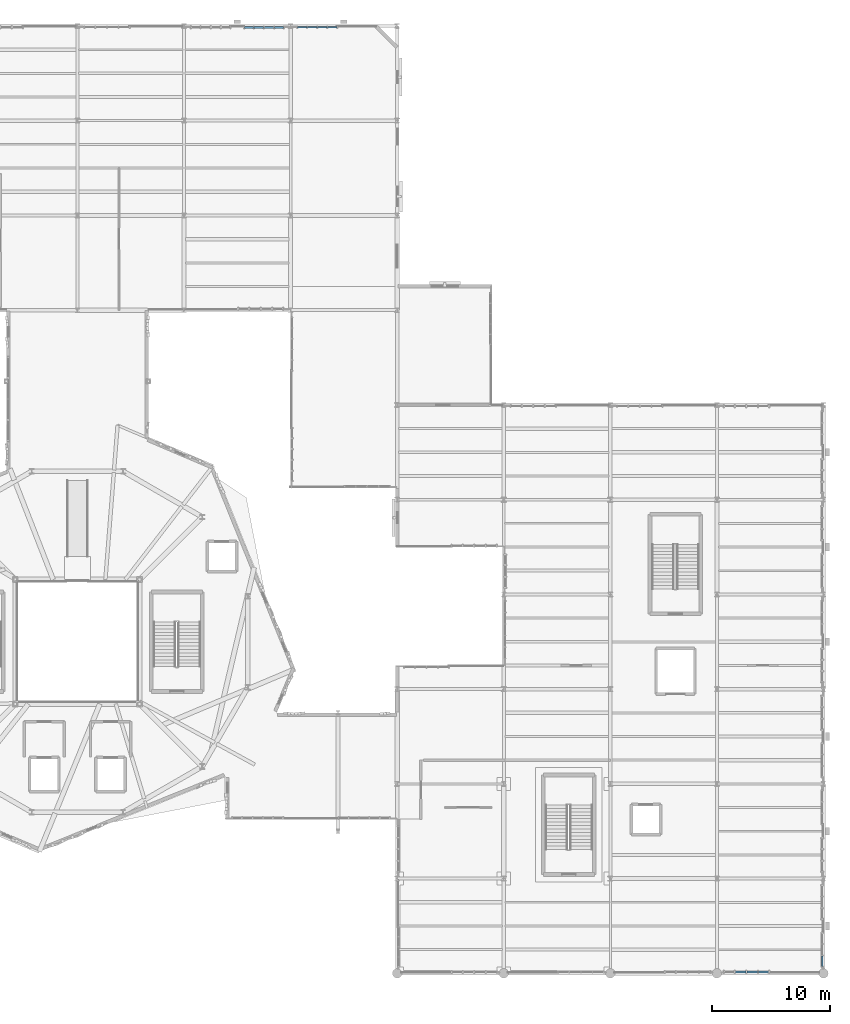
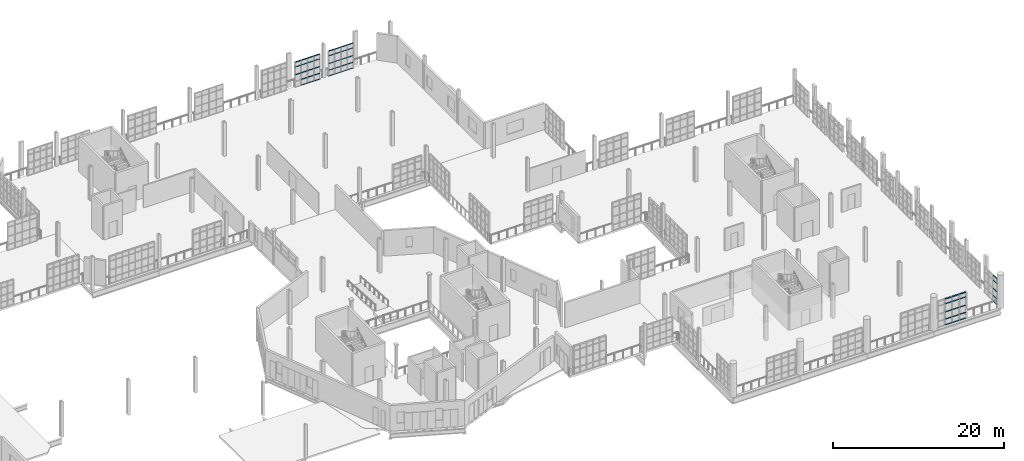
# One storey, part 73 of 122: 58 members, 4 elements without a shape of their own.
"""IFC4 building model written with IfcOpenShell, lengths in metres."""

from ifc_helpers import new_model, si_unit, direction, frame, origin, origin_2d, place, context, subcontext, project, spatial, hollow_rectangle, extrude, material, layer, layer_set, material_profile, profile_set, type_object, element, aggregate, save


model = new_model("IFC4")

# Units and contexts
model_context = context("Model", 3, precision=1e-05, world=origin(), true_north=direction((0.0, 1.0)))
body_context = subcontext(model_context, "Body", "Model", "MODEL_VIEW")
ifc_project = project(units=[si_unit("LENGTHUNIT", "METRE"), si_unit("AREAUNIT", "SQUARE_METRE"), si_unit("VOLUMEUNIT", "CUBIC_METRE"), si_unit("PLANEANGLEUNIT", "RADIAN"), si_unit("MASSUNIT", "GRAM", prefix="KILO"), si_unit("THERMODYNAMICTEMPERATUREUNIT", "KELVIN"), si_unit("POWERUNIT", "WATT")], contexts=[model_context])

# Site, building, storey
site_placement = place(None, origin())
site = spatial("IfcSite", under=ifc_project, at=site_placement, CompositionType="ELEMENT")
building_placement = place(site_placement, origin())
building = spatial("IfcBuilding", under=site, at=building_placement, Name="Zelmaris Science Centre", CompositionType="ELEMENT")
storey_placement = place(building_placement, frame((0.0, 0.0, 10.800048828125)))
storey = spatial("IfcBuildingStorey", under=building, at=storey_placement, Name="L02", CompositionType="ELEMENT", Elevation=10.800048828125)

# Curtain wall, members
ifc_material = material(Name="Anodised architectural aluminium 6063-T6", Category="aluminium")
ifc_layer_1 = layer(ifc_material, 0.2099609375, Name="Anodised architectural aluminium 6063-T6")
ifc_layer_set_1 = layer_set([ifc_layer_1], Name="Anodised architectural aluminium 6063-T6")
curtain_wall_type_1 = type_object("IfcCurtainWallType", Name="Curtain Wall CW-03", PredefinedType="USERDEFINED", material=ifc_layer_set_1)
curtain_wall_1_placement = place(storey_placement, origin())
curtain_wall_1 = element("IfcCurtainWall", 1, at=curtain_wall_1_placement, inside=storey, type_object=curtain_wall_type_1, Name="L02 Unitised curtain wall 215", ObjectType="GLAZED CURTAIN WALL", PredefinedType="USERDEFINED")
ifc_material_profile_1 = material_profile(ifc_material, hollow_rectangle(XDim=0.06494140625, YDim=0.1298828125, WallThickness=0.00341796875, at=origin_2d()), Name="ALU-TRN-65X130")
ifc_profile_set_1 = profile_set([ifc_material_profile_1], Name="Anodised architectural aluminium 6063-T6")
member_type_1 = type_object("IfcMemberType", Name="ALU-TRN-65X130", PredefinedType="USERDEFINED", material=ifc_profile_set_1)
member_1_placement = place(storey_placement, frame((99.596923828125, 87.8798828125, 0.013427734375), z_axis=(1.0, 0.0, 0.0), x_axis=(0.0, 0.0, 1.0)))
member_1 = element("IfcMember", 2, at=member_1_placement, type_object=member_type_1, Name="CW-03 transom 1.1", ObjectType="TRANSOM", PredefinedType="USERDEFINED", context=body_context, shape_type="SweptSolid", body=[
    extrude(hollow_rectangle(XDim=0.06494140625, YDim=0.1298828125, WallThickness=0.00341796875, at=origin_2d()), origin(), (0.0, 0.0, 1.0), 0.76953125),
])
member_2_placement = place(storey_placement, frame((99.596923828125, 87.8798828125, 0.8349609375), z_axis=(1.0, 0.0, 0.0), x_axis=(0.0, 0.0, 1.0)))
member_2 = element("IfcMember", 3, at=member_2_placement, type_object=member_type_1, Name="CW-03 transom 1.2", ObjectType="TRANSOM", PredefinedType="USERDEFINED", context=body_context, shape_type="SweptSolid", body=[
    extrude(hollow_rectangle(XDim=0.06494140625, YDim=0.1298828125, WallThickness=0.00341796875, at=origin_2d()), origin(), (0.0, 0.0, 1.0), 0.76953125),
])
member_3_placement = place(storey_placement, frame((99.596923828125, 87.8798828125, 1.785400390625), z_axis=(1.0, 0.0, 0.0), x_axis=(0.0, 0.0, 1.0)))
member_3 = element("IfcMember", 4, at=member_3_placement, type_object=member_type_1, Name="CW-03 transom 1.3", ObjectType="TRANSOM", PredefinedType="USERDEFINED", context=body_context, shape_type="SweptSolid", body=[
    extrude(hollow_rectangle(XDim=0.06494140625, YDim=0.1298828125, WallThickness=0.00341796875, at=origin_2d()), origin(), (0.0, 0.0, 1.0), 0.76953125),
])
member_4_placement = place(storey_placement, frame((99.596923828125, 87.8798828125, 2.885986328125), z_axis=(1.0, 0.0, 0.0), x_axis=(0.0, 0.0, 1.0)))
member_4 = element("IfcMember", 5, at=member_4_placement, type_object=member_type_1, Name="CW-03 transom 1.4", ObjectType="TRANSOM", PredefinedType="USERDEFINED", context=body_context, shape_type="SweptSolid", body=[
    extrude(hollow_rectangle(XDim=0.06494140625, YDim=0.1298828125, WallThickness=0.00341796875, at=origin_2d()), origin(), (0.0, 0.0, 1.0), 0.76953125),
])
member_5_placement = place(storey_placement, frame((99.596923828125, 87.8798828125, 3.557373046875), z_axis=(1.0, 0.0, 0.0), x_axis=(0.0, 0.0, 1.0)))
member_5 = element("IfcMember", 6, at=member_5_placement, type_object=member_type_1, Name="CW-03 transom 1.5", ObjectType="TRANSOM", PredefinedType="USERDEFINED", context=body_context, shape_type="SweptSolid", body=[
    extrude(hollow_rectangle(XDim=0.06494140625, YDim=0.1298828125, WallThickness=0.00341796875, at=origin_2d()), origin(), (0.0, 0.0, 1.0), 0.76953125),
])
member_6_placement = place(storey_placement, frame((100.423583984375, 87.8798828125, 0.013427734375), z_axis=(1.0, 0.0, 0.0), x_axis=(0.0, 0.0, 1.0)))
member_6 = element("IfcMember", 7, at=member_6_placement, type_object=member_type_1, Name="CW-03 transom 2.1", ObjectType="TRANSOM", PredefinedType="USERDEFINED", context=body_context, shape_type="SweptSolid", body=[
    extrude(hollow_rectangle(XDim=0.06494140625, YDim=0.1298828125, WallThickness=0.00341796875, at=origin_2d()), origin(), (0.0, 0.0, 1.0), 0.7978515625),
])
member_7_placement = place(storey_placement, frame((100.423583984375, 87.8798828125, 0.8349609375), z_axis=(1.0, 0.0, 0.0), x_axis=(0.0, 0.0, 1.0)))
member_7 = element("IfcMember", 8, at=member_7_placement, type_object=member_type_1, Name="CW-03 transom 2.2", ObjectType="TRANSOM", PredefinedType="USERDEFINED", context=body_context, shape_type="SweptSolid", body=[
    extrude(hollow_rectangle(XDim=0.06494140625, YDim=0.1298828125, WallThickness=0.00341796875, at=origin_2d()), origin(), (0.0, 0.0, 1.0), 0.7978515625),
])
member_8_placement = place(storey_placement, frame((100.423583984375, 87.8798828125, 1.785400390625), z_axis=(1.0, 0.0, 0.0), x_axis=(0.0, 0.0, 1.0)))
member_8 = element("IfcMember", 9, at=member_8_placement, type_object=member_type_1, Name="CW-03 transom 2.3", ObjectType="TRANSOM", PredefinedType="USERDEFINED", context=body_context, shape_type="SweptSolid", body=[
    extrude(hollow_rectangle(XDim=0.06494140625, YDim=0.1298828125, WallThickness=0.00341796875, at=origin_2d()), origin(), (0.0, 0.0, 1.0), 0.7978515625),
])
member_9_placement = place(storey_placement, frame((100.423583984375, 87.8798828125, 2.885986328125), z_axis=(1.0, 0.0, 0.0), x_axis=(0.0, 0.0, 1.0)))
member_9 = element("IfcMember", 10, at=member_9_placement, type_object=member_type_1, Name="CW-03 transom 2.4", ObjectType="TRANSOM", PredefinedType="USERDEFINED", context=body_context, shape_type="SweptSolid", body=[
    extrude(hollow_rectangle(XDim=0.06494140625, YDim=0.1298828125, WallThickness=0.00341796875, at=origin_2d()), origin(), (0.0, 0.0, 1.0), 0.7978515625),
])
member_10_placement = place(storey_placement, frame((100.423583984375, 87.8798828125, 3.557373046875), z_axis=(1.0, 0.0, 0.0), x_axis=(0.0, 0.0, 1.0)))
member_10 = element("IfcMember", 11, at=member_10_placement, type_object=member_type_1, Name="CW-03 transom 2.5", ObjectType="TRANSOM", PredefinedType="USERDEFINED", context=body_context, shape_type="SweptSolid", body=[
    extrude(hollow_rectangle(XDim=0.06494140625, YDim=0.1298828125, WallThickness=0.00341796875, at=origin_2d()), origin(), (0.0, 0.0, 1.0), 0.7978515625),
])
member_11_placement = place(storey_placement, frame((101.278564453125, 87.8798828125, 0.013427734375), z_axis=(1.0, 0.0, 0.0), x_axis=(0.0, 0.0, 1.0)))
member_11 = element("IfcMember", 12, at=member_11_placement, type_object=member_type_1, Name="CW-03 transom 3.1", ObjectType="TRANSOM", PredefinedType="USERDEFINED", context=body_context, shape_type="SweptSolid", body=[
    extrude(hollow_rectangle(XDim=0.06494140625, YDim=0.1298828125, WallThickness=0.00341796875, at=origin_2d()), origin(), (0.0, 0.0, 1.0), 0.7978515625),
])
member_12_placement = place(storey_placement, frame((101.278564453125, 87.8798828125, 0.8349609375), z_axis=(1.0, 0.0, 0.0), x_axis=(0.0, 0.0, 1.0)))
member_12 = element("IfcMember", 13, at=member_12_placement, type_object=member_type_1, Name="CW-03 transom 3.2", ObjectType="TRANSOM", PredefinedType="USERDEFINED", context=body_context, shape_type="SweptSolid", body=[
    extrude(hollow_rectangle(XDim=0.06494140625, YDim=0.1298828125, WallThickness=0.00341796875, at=origin_2d()), origin(), (0.0, 0.0, 1.0), 0.7978515625),
])
member_13_placement = place(storey_placement, frame((101.278564453125, 87.8798828125, 1.785400390625), z_axis=(1.0, 0.0, 0.0), x_axis=(0.0, 0.0, 1.0)))
member_13 = element("IfcMember", 14, at=member_13_placement, type_object=member_type_1, Name="CW-03 transom 3.3", ObjectType="TRANSOM", PredefinedType="USERDEFINED", context=body_context, shape_type="SweptSolid", body=[
    extrude(hollow_rectangle(XDim=0.06494140625, YDim=0.1298828125, WallThickness=0.00341796875, at=origin_2d()), origin(), (0.0, 0.0, 1.0), 0.7978515625),
])
member_14_placement = place(storey_placement, frame((101.278564453125, 87.8798828125, 2.885986328125), z_axis=(1.0, 0.0, 0.0), x_axis=(0.0, 0.0, 1.0)))
member_14 = element("IfcMember", 15, at=member_14_placement, type_object=member_type_1, Name="CW-03 transom 3.4", ObjectType="TRANSOM", PredefinedType="USERDEFINED", context=body_context, shape_type="SweptSolid", body=[
    extrude(hollow_rectangle(XDim=0.06494140625, YDim=0.1298828125, WallThickness=0.00341796875, at=origin_2d()), origin(), (0.0, 0.0, 1.0), 0.7978515625),
])
member_15_placement = place(storey_placement, frame((101.278564453125, 87.8798828125, 3.557373046875), z_axis=(1.0, 0.0, 0.0), x_axis=(0.0, 0.0, 1.0)))
member_15 = element("IfcMember", 16, at=member_15_placement, type_object=member_type_1, Name="CW-03 transom 3.5", ObjectType="TRANSOM", PredefinedType="USERDEFINED", context=body_context, shape_type="SweptSolid", body=[
    extrude(hollow_rectangle(XDim=0.06494140625, YDim=0.1298828125, WallThickness=0.00341796875, at=origin_2d()), origin(), (0.0, 0.0, 1.0), 0.7978515625),
])
member_16_placement = place(storey_placement, frame((102.133544921875, 87.8798828125, 0.013427734375), z_axis=(1.0, 0.0, 0.0), x_axis=(0.0, 0.0, 1.0)))
member_16 = element("IfcMember", 17, at=member_16_placement, type_object=member_type_1, Name="CW-03 transom 4.1", ObjectType="TRANSOM", PredefinedType="USERDEFINED", context=body_context, shape_type="SweptSolid", body=[
    extrude(hollow_rectangle(XDim=0.06494140625, YDim=0.1298828125, WallThickness=0.00341796875, at=origin_2d()), origin(), (0.0, 0.0, 1.0), 0.76953125),
])
member_17_placement = place(storey_placement, frame((102.133544921875, 87.8798828125, 0.8349609375), z_axis=(1.0, 0.0, 0.0), x_axis=(0.0, 0.0, 1.0)))
member_17 = element("IfcMember", 18, at=member_17_placement, type_object=member_type_1, Name="CW-03 transom 4.2", ObjectType="TRANSOM", PredefinedType="USERDEFINED", context=body_context, shape_type="SweptSolid", body=[
    extrude(hollow_rectangle(XDim=0.06494140625, YDim=0.1298828125, WallThickness=0.00341796875, at=origin_2d()), origin(), (0.0, 0.0, 1.0), 0.76953125),
])
member_18_placement = place(storey_placement, frame((102.133544921875, 87.8798828125, 1.785400390625), z_axis=(1.0, 0.0, 0.0), x_axis=(0.0, 0.0, 1.0)))
member_18 = element("IfcMember", 19, at=member_18_placement, type_object=member_type_1, Name="CW-03 transom 4.3", ObjectType="TRANSOM", PredefinedType="USERDEFINED", context=body_context, shape_type="SweptSolid", body=[
    extrude(hollow_rectangle(XDim=0.06494140625, YDim=0.1298828125, WallThickness=0.00341796875, at=origin_2d()), origin(), (0.0, 0.0, 1.0), 0.76953125),
])
member_19_placement = place(storey_placement, frame((102.133544921875, 87.8798828125, 2.885986328125), z_axis=(1.0, 0.0, 0.0), x_axis=(0.0, 0.0, 1.0)))
member_19 = element("IfcMember", 20, at=member_19_placement, type_object=member_type_1, Name="CW-03 transom 4.4", ObjectType="TRANSOM", PredefinedType="USERDEFINED", context=body_context, shape_type="SweptSolid", body=[
    extrude(hollow_rectangle(XDim=0.06494140625, YDim=0.1298828125, WallThickness=0.00341796875, at=origin_2d()), origin(), (0.0, 0.0, 1.0), 0.76953125),
])
member_20_placement = place(storey_placement, frame((102.133544921875, 87.8798828125, 3.557373046875), z_axis=(1.0, 0.0, 0.0), x_axis=(0.0, 0.0, 1.0)))
member_20 = element("IfcMember", 21, at=member_20_placement, type_object=member_type_1, Name="CW-03 transom 4.5", ObjectType="TRANSOM", PredefinedType="USERDEFINED", context=body_context, shape_type="SweptSolid", body=[
    extrude(hollow_rectangle(XDim=0.06494140625, YDim=0.1298828125, WallThickness=0.00341796875, at=origin_2d()), origin(), (0.0, 0.0, 1.0), 0.76953125),
])
aggregate(curtain_wall_1, [member_1, member_2, member_3, member_4, member_5, member_6, member_7, member_8, member_9, member_10, member_11, member_12, member_13, member_14, member_15, member_16, member_17, member_18, member_19, member_20])

curtain_wall_2_placement = place(storey_placement, origin())
curtain_wall_2 = element("IfcCurtainWall", 22, at=curtain_wall_2_placement, inside=storey, type_object=curtain_wall_type_1, Name="L02 Unitised curtain wall 235", ObjectType="GLAZED CURTAIN WALL", PredefinedType="USERDEFINED")
member_21_placement = place(storey_placement, frame((143.8798828125, 9.48486328125, 0.013427734375), z_axis=(0.0, -1.0, 0.0), x_axis=(0.0, 0.0, 1.0)))
member_21 = element("IfcMember", 23, at=member_21_placement, type_object=member_type_1, Name="CW-03 transom 3.1", ObjectType="TRANSOM", PredefinedType="USERDEFINED", context=body_context, shape_type="SweptSolid", body=[
    extrude(hollow_rectangle(XDim=0.06494140625, YDim=0.1298828125, WallThickness=0.00341796875, at=origin_2d()), origin(), (0.0, 0.0, 1.0), 0.8876953125),
])
member_22_placement = place(storey_placement, frame((143.8798828125, 9.48486328125, 0.8349609375), z_axis=(0.0, -1.0, 0.0), x_axis=(0.0, 0.0, 1.0)))
member_22 = element("IfcMember", 24, at=member_22_placement, type_object=member_type_1, Name="CW-03 transom 3.2", ObjectType="TRANSOM", PredefinedType="USERDEFINED", context=body_context, shape_type="SweptSolid", body=[
    extrude(hollow_rectangle(XDim=0.06494140625, YDim=0.1298828125, WallThickness=0.00341796875, at=origin_2d()), origin(), (0.0, 0.0, 1.0), 0.8876953125),
])
member_23_placement = place(storey_placement, frame((143.8798828125, 9.48486328125, 1.85498046875), z_axis=(0.0, -1.0, 0.0), x_axis=(0.0, 0.0, 1.0)))
member_23 = element("IfcMember", 25, at=member_23_placement, type_object=member_type_1, Name="CW-03 transom 3.3", ObjectType="TRANSOM", PredefinedType="USERDEFINED", context=body_context, shape_type="SweptSolid", body=[
    extrude(hollow_rectangle(XDim=0.06494140625, YDim=0.1298828125, WallThickness=0.00341796875, at=origin_2d()), origin(), (0.0, 0.0, 1.0), 0.8876953125),
])
member_24_placement = place(storey_placement, frame((143.8798828125, 9.48486328125, 3.02490234375), z_axis=(0.0, -1.0, 0.0), x_axis=(0.0, 0.0, 1.0)))
member_24 = element("IfcMember", 26, at=member_24_placement, type_object=member_type_1, Name="CW-03 transom 3.4", ObjectType="TRANSOM", PredefinedType="USERDEFINED", context=body_context, shape_type="SweptSolid", body=[
    extrude(hollow_rectangle(XDim=0.06494140625, YDim=0.1298828125, WallThickness=0.00341796875, at=origin_2d()), origin(), (0.0, 0.0, 1.0), 0.8876953125),
])
member_25_placement = place(storey_placement, frame((143.8798828125, 9.48486328125, 3.696533203125), z_axis=(0.0, -1.0, 0.0), x_axis=(0.0, 0.0, 1.0)))
member_25 = element("IfcMember", 27, at=member_25_placement, type_object=member_type_1, Name="CW-03 transom 3.5", ObjectType="TRANSOM", PredefinedType="USERDEFINED", context=body_context, shape_type="SweptSolid", body=[
    extrude(hollow_rectangle(XDim=0.06494140625, YDim=0.1298828125, WallThickness=0.00341796875, at=origin_2d()), origin(), (0.0, 0.0, 1.0), 0.8876953125),
])
aggregate(curtain_wall_2, [member_21, member_22, member_23, member_24, member_25])

ifc_layer_2 = layer(ifc_material, 0.199951171875, Name="Anodised architectural aluminium 6063-T6")
ifc_layer_set_2 = layer_set([ifc_layer_2], Name="Anodised architectural aluminium 6063-T6")
curtain_wall_type_2 = type_object("IfcCurtainWallType", Name="Curtain Wall CW-02", PredefinedType="USERDEFINED", material=ifc_layer_set_2)
curtain_wall_3_placement = place(storey_placement, origin())
curtain_wall_3 = element("IfcCurtainWall", 28, at=curtain_wall_3_placement, inside=storey, type_object=curtain_wall_type_2, Name="L02 Unitised curtain wall 214", ObjectType="GLAZED CURTAIN WALL", PredefinedType="USERDEFINED")
ifc_material_profile_2 = material_profile(ifc_material, hollow_rectangle(XDim=0.074951171875, YDim=0.159912109375, WallThickness=0.00390625, at=origin_2d()), Name="ALU-TRN-75X160")
ifc_profile_set_2 = profile_set([ifc_material_profile_2], Name="Anodised architectural aluminium 6063-T6")
member_type_2 = type_object("IfcMemberType", Name="ALU-TRN-75X160", PredefinedType="USERDEFINED", material=ifc_profile_set_2)
member_26_placement = place(storey_placement, frame((95.10693359375, 87.8798828125, 1.785400390625), z_axis=(1.0, 0.0, 0.0), x_axis=(0.0, 0.0, 1.0)))
member_26 = element("IfcMember", 29, at=member_26_placement, type_object=member_type_2, Name="CW-02 transom 1.3", ObjectType="TRANSOM", PredefinedType="USERDEFINED", context=body_context, shape_type="SweptSolid", body=[
    extrude(hollow_rectangle(XDim=0.074951171875, YDim=0.159912109375, WallThickness=0.00390625, at=origin_2d()), origin(), (0.0, 0.0, 1.0), 0.754638671875),
])
member_27_placement = place(storey_placement, frame((95.10693359375, 87.8798828125, 2.885986328125), z_axis=(1.0, 0.0, 0.0), x_axis=(0.0, 0.0, 1.0)))
member_27 = element("IfcMember", 30, at=member_27_placement, type_object=member_type_2, Name="CW-02 transom 1.4", ObjectType="TRANSOM", PredefinedType="USERDEFINED", context=body_context, shape_type="SweptSolid", body=[
    extrude(hollow_rectangle(XDim=0.074951171875, YDim=0.159912109375, WallThickness=0.00390625, at=origin_2d()), origin(), (0.0, 0.0, 1.0), 0.754638671875),
])
member_28_placement = place(storey_placement, frame((95.10693359375, 87.8798828125, 3.552490234375), z_axis=(1.0, 0.0, 0.0), x_axis=(0.0, 0.0, 1.0)))
member_28 = element("IfcMember", 31, at=member_28_placement, type_object=member_type_2, Name="CW-02 transom 1.5", ObjectType="TRANSOM", PredefinedType="USERDEFINED", context=body_context, shape_type="SweptSolid", body=[
    extrude(hollow_rectangle(XDim=0.074951171875, YDim=0.159912109375, WallThickness=0.00390625, at=origin_2d()), origin(), (0.0, 0.0, 1.0), 0.754638671875),
])
member_29_placement = place(storey_placement, frame((95.928466796875, 87.8798828125, 0.0185546875), z_axis=(1.0, 0.0, 0.0), x_axis=(0.0, 0.0, 1.0)))
member_29 = element("IfcMember", 32, at=member_29_placement, type_object=member_type_2, Name="CW-02 transom 2.1", ObjectType="TRANSOM", PredefinedType="USERDEFINED", context=body_context, shape_type="SweptSolid", body=[
    extrude(hollow_rectangle(XDim=0.074951171875, YDim=0.159912109375, WallThickness=0.00390625, at=origin_2d()), origin(), (0.0, 0.0, 1.0), 0.7880859375),
])
member_30_placement = place(storey_placement, frame((95.928466796875, 87.8798828125, 0.8349609375), z_axis=(1.0, 0.0, 0.0), x_axis=(0.0, 0.0, 1.0)))
member_30 = element("IfcMember", 33, at=member_30_placement, type_object=member_type_2, Name="CW-02 transom 2.2", ObjectType="TRANSOM", PredefinedType="USERDEFINED", context=body_context, shape_type="SweptSolid", body=[
    extrude(hollow_rectangle(XDim=0.074951171875, YDim=0.159912109375, WallThickness=0.00390625, at=origin_2d()), origin(), (0.0, 0.0, 1.0), 0.7880859375),
])
member_31_placement = place(storey_placement, frame((95.928466796875, 87.8798828125, 1.785400390625), z_axis=(1.0, 0.0, 0.0), x_axis=(0.0, 0.0, 1.0)))
member_31 = element("IfcMember", 34, at=member_31_placement, type_object=member_type_2, Name="CW-02 transom 2.3", ObjectType="TRANSOM", PredefinedType="USERDEFINED", context=body_context, shape_type="SweptSolid", body=[
    extrude(hollow_rectangle(XDim=0.074951171875, YDim=0.159912109375, WallThickness=0.00390625, at=origin_2d()), origin(), (0.0, 0.0, 1.0), 0.7880859375),
])
member_32_placement = place(storey_placement, frame((95.928466796875, 87.8798828125, 2.885986328125), z_axis=(1.0, 0.0, 0.0), x_axis=(0.0, 0.0, 1.0)))
member_32 = element("IfcMember", 35, at=member_32_placement, type_object=member_type_2, Name="CW-02 transom 2.4", ObjectType="TRANSOM", PredefinedType="USERDEFINED", context=body_context, shape_type="SweptSolid", body=[
    extrude(hollow_rectangle(XDim=0.074951171875, YDim=0.159912109375, WallThickness=0.00390625, at=origin_2d()), origin(), (0.0, 0.0, 1.0), 0.7880859375),
])
member_33_placement = place(storey_placement, frame((95.928466796875, 87.8798828125, 3.552490234375), z_axis=(1.0, 0.0, 0.0), x_axis=(0.0, 0.0, 1.0)))
member_33 = element("IfcMember", 36, at=member_33_placement, type_object=member_type_2, Name="CW-02 transom 2.5", ObjectType="TRANSOM", PredefinedType="USERDEFINED", context=body_context, shape_type="SweptSolid", body=[
    extrude(hollow_rectangle(XDim=0.074951171875, YDim=0.159912109375, WallThickness=0.00390625, at=origin_2d()), origin(), (0.0, 0.0, 1.0), 0.7880859375),
])
member_34_placement = place(storey_placement, frame((96.783447265625, 87.8798828125, 0.0185546875), z_axis=(1.0, 0.0, 0.0), x_axis=(0.0, 0.0, 1.0)))
member_34 = element("IfcMember", 37, at=member_34_placement, type_object=member_type_2, Name="CW-02 transom 3.1", ObjectType="TRANSOM", PredefinedType="USERDEFINED", context=body_context, shape_type="SweptSolid", body=[
    extrude(hollow_rectangle(XDim=0.074951171875, YDim=0.159912109375, WallThickness=0.00390625, at=origin_2d()), origin(), (0.0, 0.0, 1.0), 0.7880859375),
])
member_35_placement = place(storey_placement, frame((96.783447265625, 87.8798828125, 0.8349609375), z_axis=(1.0, 0.0, 0.0), x_axis=(0.0, 0.0, 1.0)))
member_35 = element("IfcMember", 38, at=member_35_placement, type_object=member_type_2, Name="CW-02 transom 3.2", ObjectType="TRANSOM", PredefinedType="USERDEFINED", context=body_context, shape_type="SweptSolid", body=[
    extrude(hollow_rectangle(XDim=0.074951171875, YDim=0.159912109375, WallThickness=0.00390625, at=origin_2d()), origin(), (0.0, 0.0, 1.0), 0.7880859375),
])
member_36_placement = place(storey_placement, frame((96.783447265625, 87.8798828125, 1.785400390625), z_axis=(1.0, 0.0, 0.0), x_axis=(0.0, 0.0, 1.0)))
member_36 = element("IfcMember", 39, at=member_36_placement, type_object=member_type_2, Name="CW-02 transom 3.3", ObjectType="TRANSOM", PredefinedType="USERDEFINED", context=body_context, shape_type="SweptSolid", body=[
    extrude(hollow_rectangle(XDim=0.074951171875, YDim=0.159912109375, WallThickness=0.00390625, at=origin_2d()), origin(), (0.0, 0.0, 1.0), 0.7880859375),
])
member_37_placement = place(storey_placement, frame((96.783447265625, 87.8798828125, 2.885986328125), z_axis=(1.0, 0.0, 0.0), x_axis=(0.0, 0.0, 1.0)))
member_37 = element("IfcMember", 40, at=member_37_placement, type_object=member_type_2, Name="CW-02 transom 3.4", ObjectType="TRANSOM", PredefinedType="USERDEFINED", context=body_context, shape_type="SweptSolid", body=[
    extrude(hollow_rectangle(XDim=0.074951171875, YDim=0.159912109375, WallThickness=0.00390625, at=origin_2d()), origin(), (0.0, 0.0, 1.0), 0.7880859375),
])
member_38_placement = place(storey_placement, frame((96.783447265625, 87.8798828125, 3.552490234375), z_axis=(1.0, 0.0, 0.0), x_axis=(0.0, 0.0, 1.0)))
member_38 = element("IfcMember", 41, at=member_38_placement, type_object=member_type_2, Name="CW-02 transom 3.5", ObjectType="TRANSOM", PredefinedType="USERDEFINED", context=body_context, shape_type="SweptSolid", body=[
    extrude(hollow_rectangle(XDim=0.074951171875, YDim=0.159912109375, WallThickness=0.00390625, at=origin_2d()), origin(), (0.0, 0.0, 1.0), 0.7880859375),
])
member_39_placement = place(storey_placement, frame((97.638427734375, 87.8798828125, 0.0185546875), z_axis=(1.0, 0.0, 0.0), x_axis=(0.0, 0.0, 1.0)))
member_39 = element("IfcMember", 42, at=member_39_placement, type_object=member_type_2, Name="CW-02 transom 4.1", ObjectType="TRANSOM", PredefinedType="USERDEFINED", context=body_context, shape_type="SweptSolid", body=[
    extrude(hollow_rectangle(XDim=0.074951171875, YDim=0.159912109375, WallThickness=0.00390625, at=origin_2d()), origin(), (0.0, 0.0, 1.0), 0.754638671875),
])
member_40_placement = place(storey_placement, frame((97.638427734375, 87.8798828125, 0.8349609375), z_axis=(1.0, 0.0, 0.0), x_axis=(0.0, 0.0, 1.0)))
member_40 = element("IfcMember", 43, at=member_40_placement, type_object=member_type_2, Name="CW-02 transom 4.2", ObjectType="TRANSOM", PredefinedType="USERDEFINED", context=body_context, shape_type="SweptSolid", body=[
    extrude(hollow_rectangle(XDim=0.074951171875, YDim=0.159912109375, WallThickness=0.00390625, at=origin_2d()), origin(), (0.0, 0.0, 1.0), 0.754638671875),
])
member_41_placement = place(storey_placement, frame((97.638427734375, 87.8798828125, 1.785400390625), z_axis=(1.0, 0.0, 0.0), x_axis=(0.0, 0.0, 1.0)))
member_41 = element("IfcMember", 44, at=member_41_placement, type_object=member_type_2, Name="CW-02 transom 4.3", ObjectType="TRANSOM", PredefinedType="USERDEFINED", context=body_context, shape_type="SweptSolid", body=[
    extrude(hollow_rectangle(XDim=0.074951171875, YDim=0.159912109375, WallThickness=0.00390625, at=origin_2d()), origin(), (0.0, 0.0, 1.0), 0.754638671875),
])
member_42_placement = place(storey_placement, frame((97.638427734375, 87.8798828125, 2.885986328125), z_axis=(1.0, 0.0, 0.0), x_axis=(0.0, 0.0, 1.0)))
member_42 = element("IfcMember", 45, at=member_42_placement, type_object=member_type_2, Name="CW-02 transom 4.4", ObjectType="TRANSOM", PredefinedType="USERDEFINED", context=body_context, shape_type="SweptSolid", body=[
    extrude(hollow_rectangle(XDim=0.074951171875, YDim=0.159912109375, WallThickness=0.00390625, at=origin_2d()), origin(), (0.0, 0.0, 1.0), 0.754638671875),
])
member_43_placement = place(storey_placement, frame((97.638427734375, 87.8798828125, 3.552490234375), z_axis=(1.0, 0.0, 0.0), x_axis=(0.0, 0.0, 1.0)))
member_43 = element("IfcMember", 46, at=member_43_placement, type_object=member_type_2, Name="CW-02 transom 4.5", ObjectType="TRANSOM", PredefinedType="USERDEFINED", context=body_context, shape_type="SweptSolid", body=[
    extrude(hollow_rectangle(XDim=0.074951171875, YDim=0.159912109375, WallThickness=0.00390625, at=origin_2d()), origin(), (0.0, 0.0, 1.0), 0.754638671875),
])
aggregate(curtain_wall_3, [member_26, member_27, member_28, member_29, member_30, member_31, member_32, member_33, member_34, member_35, member_36, member_37, member_38, member_39, member_40, member_41, member_42, member_43])

ifc_layer_3 = layer(ifc_material, 0.18994140625, Name="Anodised architectural aluminium 6063-T6")
ifc_layer_set_3 = layer_set([ifc_layer_3], Name="Anodised architectural aluminium 6063-T6")
curtain_wall_type_3 = type_object("IfcCurtainWallType", Name="Curtain Wall CW-01", PredefinedType="USERDEFINED", material=ifc_layer_set_3)
curtain_wall_4_placement = place(storey_placement, origin())
curtain_wall_4 = element("IfcCurtainWall", 47, at=curtain_wall_4_placement, inside=storey, type_object=curtain_wall_type_3, Name="L02 Unitised curtain wall 237", ObjectType="GLAZED CURTAIN WALL", PredefinedType="USERDEFINED")
ifc_material_profile_3 = material_profile(ifc_material, hollow_rectangle(XDim=0.080078125, YDim=0.18994140625, WallThickness=0.00439453125, at=origin_2d()), Name="ALU-TRN-80X190")
ifc_profile_set_3 = profile_set([ifc_material_profile_3], Name="Anodised architectural aluminium 6063-T6")
member_type_3 = type_object("IfcMemberType", Name="ALU-TRN-80X190", PredefinedType="USERDEFINED", material=ifc_profile_set_3)
member_44_placement = place(storey_placement, frame((139.367919921875, 8.1201171875, 0.02099609375), z_axis=(-1.0, 0.0, 0.0), x_axis=(0.0, 0.0, 1.0)))
member_44 = element("IfcMember", 48, at=member_44_placement, type_object=member_type_3, Name="CW-01 transom 1.1", ObjectType="TRANSOM", PredefinedType="USERDEFINED", context=body_context, shape_type="SweptSolid", body=[
    extrude(hollow_rectangle(XDim=0.080078125, YDim=0.18994140625, WallThickness=0.00439453125, at=origin_2d()), origin(), (0.0, 0.0, 1.0), 0.866943359375),
])
member_45_placement = place(storey_placement, frame((139.367919921875, 8.1201171875, 0.8349609375), z_axis=(-1.0, 0.0, 0.0), x_axis=(0.0, 0.0, 1.0)))
member_45 = element("IfcMember", 49, at=member_45_placement, type_object=member_type_3, Name="CW-01 transom 1.2", ObjectType="TRANSOM", PredefinedType="USERDEFINED", context=body_context, shape_type="SweptSolid", body=[
    extrude(hollow_rectangle(XDim=0.080078125, YDim=0.18994140625, WallThickness=0.00439453125, at=origin_2d()), origin(), (0.0, 0.0, 1.0), 0.866943359375),
])
member_46_placement = place(storey_placement, frame((139.367919921875, 8.1201171875, 1.8564453125), z_axis=(-1.0, 0.0, 0.0), x_axis=(0.0, 0.0, 1.0)))
member_46 = element("IfcMember", 50, at=member_46_placement, type_object=member_type_3, Name="CW-01 transom 1.3", ObjectType="TRANSOM", PredefinedType="USERDEFINED", context=body_context, shape_type="SweptSolid", body=[
    extrude(hollow_rectangle(XDim=0.080078125, YDim=0.18994140625, WallThickness=0.00439453125, at=origin_2d()), origin(), (0.0, 0.0, 1.0), 0.866943359375),
])
member_47_placement = place(storey_placement, frame((139.367919921875, 8.1201171875, 3.02783203125), z_axis=(-1.0, 0.0, 0.0), x_axis=(0.0, 0.0, 1.0)))
member_47 = element("IfcMember", 51, at=member_47_placement, type_object=member_type_3, Name="CW-01 transom 1.4", ObjectType="TRANSOM", PredefinedType="USERDEFINED", context=body_context, shape_type="SweptSolid", body=[
    extrude(hollow_rectangle(XDim=0.080078125, YDim=0.18994140625, WallThickness=0.00439453125, at=origin_2d()), origin(), (0.0, 0.0, 1.0), 0.866943359375),
])
member_48_placement = place(storey_placement, frame((139.367919921875, 8.1201171875, 3.69189453125), z_axis=(-1.0, 0.0, 0.0), x_axis=(0.0, 0.0, 1.0)))
member_48 = element("IfcMember", 52, at=member_48_placement, type_object=member_type_3, Name="CW-01 transom 1.5", ObjectType="TRANSOM", PredefinedType="USERDEFINED", context=body_context, shape_type="SweptSolid", body=[
    extrude(hollow_rectangle(XDim=0.080078125, YDim=0.18994140625, WallThickness=0.00439453125, at=origin_2d()), origin(), (0.0, 0.0, 1.0), 0.866943359375),
])
member_49_placement = place(storey_placement, frame((138.428955078125, 8.1201171875, 0.02099609375), z_axis=(-1.0, 0.0, 0.0), x_axis=(0.0, 0.0, 1.0)))
member_49 = element("IfcMember", 53, at=member_49_placement, type_object=member_type_3, Name="CW-01 transom 2.1", ObjectType="TRANSOM", PredefinedType="USERDEFINED", context=body_context, shape_type="SweptSolid", body=[
    extrude(hollow_rectangle(XDim=0.080078125, YDim=0.18994140625, WallThickness=0.00439453125, at=origin_2d()), origin(), (0.0, 0.0, 1.0), 0.903076171875),
])
member_50_placement = place(storey_placement, frame((138.428955078125, 8.1201171875, 0.8349609375), z_axis=(-1.0, 0.0, 0.0), x_axis=(0.0, 0.0, 1.0)))
member_50 = element("IfcMember", 54, at=member_50_placement, type_object=member_type_3, Name="CW-01 transom 2.2", ObjectType="TRANSOM", PredefinedType="USERDEFINED", context=body_context, shape_type="SweptSolid", body=[
    extrude(hollow_rectangle(XDim=0.080078125, YDim=0.18994140625, WallThickness=0.00439453125, at=origin_2d()), origin(), (0.0, 0.0, 1.0), 0.903076171875),
])
member_51_placement = place(storey_placement, frame((138.428955078125, 8.1201171875, 1.8564453125), z_axis=(-1.0, 0.0, 0.0), x_axis=(0.0, 0.0, 1.0)))
member_51 = element("IfcMember", 55, at=member_51_placement, type_object=member_type_3, Name="CW-01 transom 2.3", ObjectType="TRANSOM", PredefinedType="USERDEFINED", context=body_context, shape_type="SweptSolid", body=[
    extrude(hollow_rectangle(XDim=0.080078125, YDim=0.18994140625, WallThickness=0.00439453125, at=origin_2d()), origin(), (0.0, 0.0, 1.0), 0.903076171875),
])
member_52_placement = place(storey_placement, frame((138.428955078125, 8.1201171875, 3.02783203125), z_axis=(-1.0, 0.0, 0.0), x_axis=(0.0, 0.0, 1.0)))
member_52 = element("IfcMember", 56, at=member_52_placement, type_object=member_type_3, Name="CW-01 transom 2.4", ObjectType="TRANSOM", PredefinedType="USERDEFINED", context=body_context, shape_type="SweptSolid", body=[
    extrude(hollow_rectangle(XDim=0.080078125, YDim=0.18994140625, WallThickness=0.00439453125, at=origin_2d()), origin(), (0.0, 0.0, 1.0), 0.903076171875),
])
member_53_placement = place(storey_placement, frame((138.428955078125, 8.1201171875, 3.69189453125), z_axis=(-1.0, 0.0, 0.0), x_axis=(0.0, 0.0, 1.0)))
member_53 = element("IfcMember", 57, at=member_53_placement, type_object=member_type_3, Name="CW-01 transom 2.5", ObjectType="TRANSOM", PredefinedType="USERDEFINED", context=body_context, shape_type="SweptSolid", body=[
    extrude(hollow_rectangle(XDim=0.080078125, YDim=0.18994140625, WallThickness=0.00439453125, at=origin_2d()), origin(), (0.0, 0.0, 1.0), 0.903076171875),
])
member_54_placement = place(storey_placement, frame((137.4541015625, 8.1201171875, 0.02099609375), z_axis=(-1.0, 0.0, 0.0), x_axis=(0.0, 0.0, 1.0)))
member_54 = element("IfcMember", 58, at=member_54_placement, type_object=member_type_3, Name="CW-01 transom 3.1", ObjectType="TRANSOM", PredefinedType="USERDEFINED", context=body_context, shape_type="SweptSolid", body=[
    extrude(hollow_rectangle(XDim=0.080078125, YDim=0.18994140625, WallThickness=0.00439453125, at=origin_2d()), origin(), (0.0, 0.0, 1.0), 0.903076171875),
])
member_55_placement = place(storey_placement, frame((137.4541015625, 8.1201171875, 0.8349609375), z_axis=(-1.0, 0.0, 0.0), x_axis=(0.0, 0.0, 1.0)))
member_55 = element("IfcMember", 59, at=member_55_placement, type_object=member_type_3, Name="CW-01 transom 3.2", ObjectType="TRANSOM", PredefinedType="USERDEFINED", context=body_context, shape_type="SweptSolid", body=[
    extrude(hollow_rectangle(XDim=0.080078125, YDim=0.18994140625, WallThickness=0.00439453125, at=origin_2d()), origin(), (0.0, 0.0, 1.0), 0.903076171875),
])
member_56_placement = place(storey_placement, frame((137.4541015625, 8.1201171875, 1.8564453125), z_axis=(-1.0, 0.0, 0.0), x_axis=(0.0, 0.0, 1.0)))
member_56 = element("IfcMember", 60, at=member_56_placement, type_object=member_type_3, Name="CW-01 transom 3.3", ObjectType="TRANSOM", PredefinedType="USERDEFINED", context=body_context, shape_type="SweptSolid", body=[
    extrude(hollow_rectangle(XDim=0.080078125, YDim=0.18994140625, WallThickness=0.00439453125, at=origin_2d()), origin(), (0.0, 0.0, 1.0), 0.903076171875),
])
member_57_placement = place(storey_placement, frame((137.4541015625, 8.1201171875, 3.02783203125), z_axis=(-1.0, 0.0, 0.0), x_axis=(0.0, 0.0, 1.0)))
member_57 = element("IfcMember", 61, at=member_57_placement, type_object=member_type_3, Name="CW-01 transom 3.4", ObjectType="TRANSOM", PredefinedType="USERDEFINED", context=body_context, shape_type="SweptSolid", body=[
    extrude(hollow_rectangle(XDim=0.080078125, YDim=0.18994140625, WallThickness=0.00439453125, at=origin_2d()), origin(), (0.0, 0.0, 1.0), 0.903076171875),
])
member_58_placement = place(storey_placement, frame((137.4541015625, 8.1201171875, 3.69189453125), z_axis=(-1.0, 0.0, 0.0), x_axis=(0.0, 0.0, 1.0)))
member_58 = element("IfcMember", 62, at=member_58_placement, type_object=member_type_3, Name="CW-01 transom 3.5", ObjectType="TRANSOM", PredefinedType="USERDEFINED", context=body_context, shape_type="SweptSolid", body=[
    extrude(hollow_rectangle(XDim=0.080078125, YDim=0.18994140625, WallThickness=0.00439453125, at=origin_2d()), origin(), (0.0, 0.0, 1.0), 0.903076171875),
])
aggregate(curtain_wall_4, [member_44, member_45, member_46, member_47, member_48, member_49, member_50, member_51, member_52, member_53, member_54, member_55, member_56, member_57, member_58])

save(model, "model.ifc")
